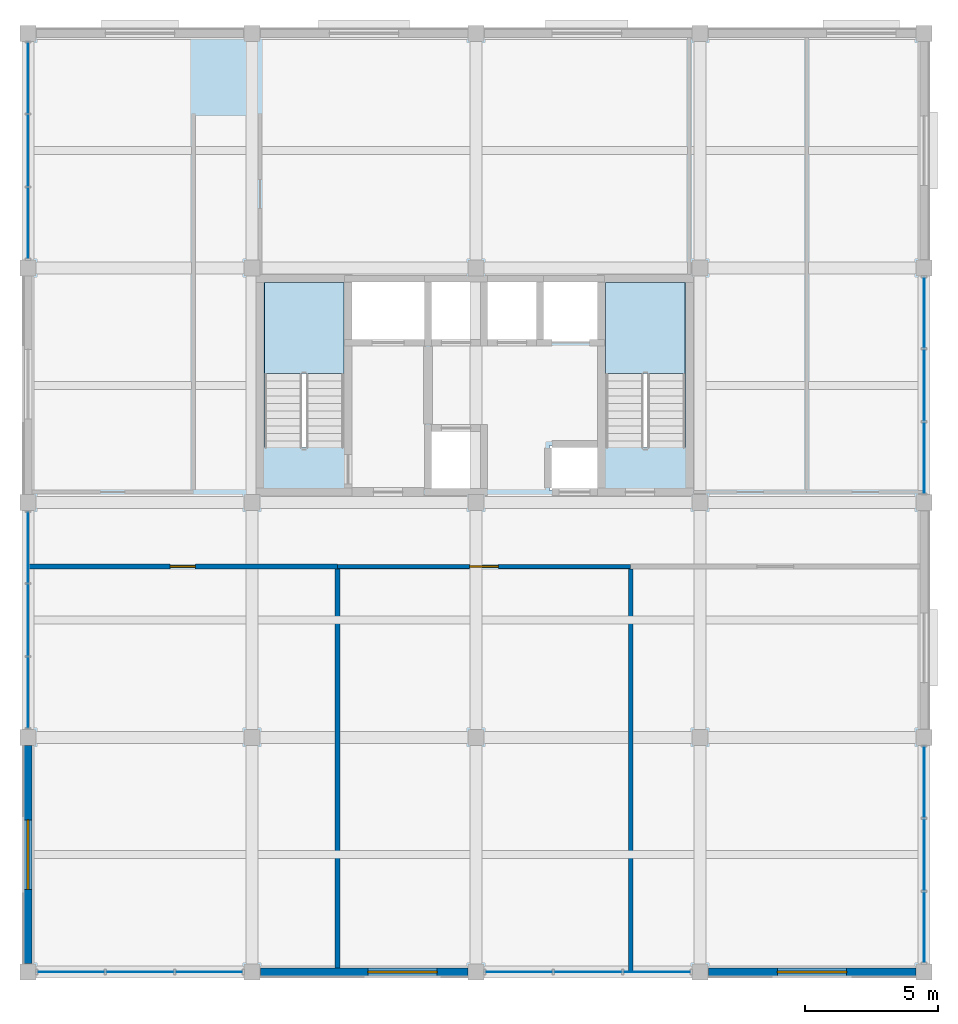
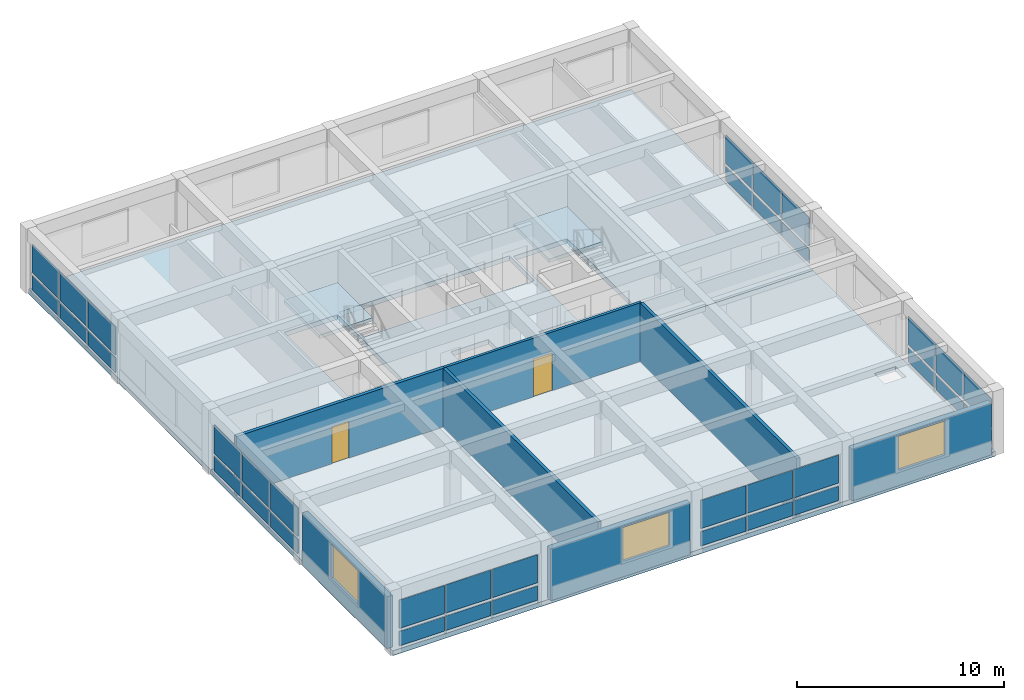
# One storey, part 6 of 12: 36 plates, 7 walls, 4 slabs, 3 windows, 2 doors, 5 openings, 8 elements without a shape of their own.
"""IFC4 building model written with IfcOpenShell, lengths in metres."""

from ifc_helpers import new_model, si_unit, direction, frame, frame_2d, origin, origin_2d, place, context, subcontext, project, spatial, polyline, rectangle, outline, extrude, material, layer, layer_set, type_object, element, fill, aggregate, save


model = new_model("IFC4")

# Units and contexts
model_context = context("Model", 3, precision=1e-05, world=origin(), true_north=direction((0.0, 1.0)))
body_context = subcontext(model_context, "Body", "Model", "MODEL_VIEW")
ifc_project = project(units=[si_unit("LENGTHUNIT", "METRE"), si_unit("AREAUNIT", "SQUARE_METRE"), si_unit("VOLUMEUNIT", "CUBIC_METRE"), si_unit("PLANEANGLEUNIT", "RADIAN"), si_unit("MASSUNIT", "GRAM", prefix="KILO")], contexts=[model_context])

# Site, building, storey
site_placement = place(None, origin())
site = spatial("IfcSite", under=ifc_project, at=site_placement, CompositionType="ELEMENT")
building_placement = place(site_placement, origin())
building = spatial("IfcBuilding", under=site, at=building_placement, Name="Kemercrest Conservatory and Botanical Centre", CompositionType="ELEMENT")
storey_placement = place(building_placement, frame((0.0, 0.0, 56.0)))
storey = spatial("IfcBuildingStorey", under=building, at=storey_placement, Name="L14", CompositionType="ELEMENT", Elevation=56.0)

# Curtain wall, plates
ifc_material_1 = material(Name="Thermally broken aluminium and triple low-e glazing", Category="aluminium")
curtain_wall_type_1 = type_object("IfcCurtainWallType", Name="CW-20", PredefinedType="USERDEFINED", material=ifc_material_1)
curtain_wall_1_placement = place(storey_placement, origin())
curtain_wall_1 = element("IfcCurtainWall", 1, at=curtain_wall_1_placement, inside=storey, type_object=curtain_wall_type_1, Name="Unitised curtain wall CW-20 (CW:L14:V4-139)", ObjectType="UNITISED CURTAIN WALL", PredefinedType="USERDEFINED")
ifc_material_2 = material(Name="Triple low-e argon insulated glazing unit", Category="glass")
ifc_layer_1 = layer(ifc_material_2, 0.035888671875)
ifc_layer_set_1 = layer_set([ifc_layer_1], Name="Triple low-e argon insulated glazing unit")
plate_type = type_object("IfcPlateType", Name="CW-PNL036", PredefinedType="CURTAIN_PANEL", material=ifc_layer_set_1)
plate_1_placement = place(storey_placement, frame((144.012939453125, 87.199951171875, 0.179931640625), z_axis=(0.0, 0.0, 1.0), x_axis=(1.0, 0.0, 0.0)))
plate_1 = element("IfcPlate", 2, at=plate_1_placement, type_object=plate_type, Name="CW-20 panel 1.1", PredefinedType="CURTAIN_PANEL", context=body_context, shape_type="SweptSolid", body=[
    extrude(rectangle(XDim=2.505859375, YDim=0.035888671875, at=origin_2d()), origin(), (0.0, 0.0, 1.0), 0.85009765625),
])
plate_2_placement = place(storey_placement, frame((144.012939453125, 87.199951171875, 1.2099609375), z_axis=(0.0, 0.0, 1.0), x_axis=(1.0, 0.0, 0.0)))
plate_2 = element("IfcPlate", 3, at=plate_2_placement, type_object=plate_type, Name="CW-20 panel 1.2", PredefinedType="CURTAIN_PANEL", context=body_context, shape_type="SweptSolid", body=[
    extrude(rectangle(XDim=2.505859375, YDim=0.035888671875, at=origin_2d()), origin(), (0.0, 0.0, 1.0), 1.6650390625),
])
plate_3_placement = place(storey_placement, frame((146.60009765625, 87.199951171875, 0.179931640625), z_axis=(0.0, 0.0, 1.0), x_axis=(1.0, 0.0, 0.0)))
plate_3 = element("IfcPlate", 4, at=plate_3_placement, type_object=plate_type, Name="CW-20 panel 2.1", PredefinedType="CURTAIN_PANEL", context=body_context, shape_type="SweptSolid", body=[
    extrude(rectangle(XDim=2.538330078125, YDim=0.035888671875, at=origin_2d()), origin(), (0.0, 0.0, 1.0), 0.85009765625),
])
plate_4_placement = place(storey_placement, frame((146.60009765625, 87.199951171875, 1.2099609375), z_axis=(0.0, 0.0, 1.0), x_axis=(1.0, 0.0, 0.0)))
plate_4 = element("IfcPlate", 5, at=plate_4_placement, type_object=plate_type, Name="CW-20 panel 2.2", PredefinedType="CURTAIN_PANEL", context=body_context, shape_type="SweptSolid", body=[
    extrude(rectangle(XDim=2.538330078125, YDim=0.035888671875, at=origin_2d()), origin(), (0.0, 0.0, 1.0), 1.6650390625),
])
plate_5_placement = place(storey_placement, frame((149.18701171875, 87.199951171875, 0.179931640625), z_axis=(0.0, 0.0, 1.0), x_axis=(1.0, 0.0, 0.0)))
plate_5 = element("IfcPlate", 6, at=plate_5_placement, type_object=plate_type, Name="CW-20 panel 3.1", PredefinedType="CURTAIN_PANEL", context=body_context, shape_type="SweptSolid", body=[
    extrude(rectangle(XDim=2.505859375, YDim=0.035888671875, at=origin_2d()), origin(), (0.0, 0.0, 1.0), 0.85009765625),
])
plate_6_placement = place(storey_placement, frame((149.18701171875, 87.199951171875, 1.2099609375), z_axis=(0.0, 0.0, 1.0), x_axis=(1.0, 0.0, 0.0)))
plate_6 = element("IfcPlate", 7, at=plate_6_placement, type_object=plate_type, Name="CW-20 panel 3.2", PredefinedType="CURTAIN_PANEL", context=body_context, shape_type="SweptSolid", body=[
    extrude(rectangle(XDim=2.505859375, YDim=0.035888671875, at=origin_2d()), origin(), (0.0, 0.0, 1.0), 1.6650390625),
])
aggregate(curtain_wall_1, [plate_1, plate_2, plate_3, plate_4, plate_5, plate_6])

curtain_wall_type_2 = type_object("IfcCurtainWallType", Name="CW-21", PredefinedType="USERDEFINED", material=ifc_material_1)
curtain_wall_2_placement = place(storey_placement, origin())
curtain_wall_2 = element("IfcCurtainWall", 8, at=curtain_wall_2_placement, inside=storey, type_object=curtain_wall_type_2, Name="Unitised curtain wall CW-21 (CW:L14:V4-140)", ObjectType="UNITISED CURTAIN WALL", PredefinedType="USERDEFINED")
plate_7_placement = place(storey_placement, frame((160.81298828125, 87.199951171875, 0.179931640625), z_axis=(0.0, 0.0, 1.0), x_axis=(1.0, 0.0, 0.0)))
plate_7 = element("IfcPlate", 9, at=plate_7_placement, type_object=plate_type, Name="CW-21 panel 1.1", PredefinedType="CURTAIN_PANEL", context=body_context, shape_type="SweptSolid", body=[
    extrude(rectangle(XDim=2.505859375, YDim=0.035888671875, at=origin_2d()), origin(), (0.0, 0.0, 1.0), 0.85009765625),
])
plate_8_placement = place(storey_placement, frame((160.81298828125, 87.199951171875, 1.2099609375), z_axis=(0.0, 0.0, 1.0), x_axis=(1.0, 0.0, 0.0)))
plate_8 = element("IfcPlate", 10, at=plate_8_placement, type_object=plate_type, Name="CW-21 panel 1.2", PredefinedType="CURTAIN_PANEL", context=body_context, shape_type="SweptSolid", body=[
    extrude(rectangle(XDim=2.505859375, YDim=0.035888671875, at=origin_2d()), origin(), (0.0, 0.0, 1.0), 1.6650390625),
])
plate_9_placement = place(storey_placement, frame((163.39990234375, 87.199951171875, 0.179931640625), z_axis=(0.0, 0.0, 1.0), x_axis=(1.0, 0.0, 0.0)))
plate_9 = element("IfcPlate", 11, at=plate_9_placement, type_object=plate_type, Name="CW-21 panel 2.1", PredefinedType="CURTAIN_PANEL", context=body_context, shape_type="SweptSolid", body=[
    extrude(rectangle(XDim=2.538330078125, YDim=0.035888671875, at=origin_2d()), origin(), (0.0, 0.0, 1.0), 0.85009765625),
])
plate_10_placement = place(storey_placement, frame((163.39990234375, 87.199951171875, 1.2099609375), z_axis=(0.0, 0.0, 1.0), x_axis=(1.0, 0.0, 0.0)))
plate_10 = element("IfcPlate", 12, at=plate_10_placement, type_object=plate_type, Name="CW-21 panel 2.2", PredefinedType="CURTAIN_PANEL", context=body_context, shape_type="SweptSolid", body=[
    extrude(rectangle(XDim=2.538330078125, YDim=0.035888671875, at=origin_2d()), origin(), (0.0, 0.0, 1.0), 1.6650390625),
])
plate_11_placement = place(storey_placement, frame((165.987060546875, 87.199951171875, 0.179931640625), z_axis=(0.0, 0.0, 1.0), x_axis=(1.0, 0.0, 0.0)))
plate_11 = element("IfcPlate", 13, at=plate_11_placement, type_object=plate_type, Name="CW-21 panel 3.1", PredefinedType="CURTAIN_PANEL", context=body_context, shape_type="SweptSolid", body=[
    extrude(rectangle(XDim=2.505859375, YDim=0.035888671875, at=origin_2d()), origin(), (0.0, 0.0, 1.0), 0.85009765625),
])
plate_12_placement = place(storey_placement, frame((165.987060546875, 87.199951171875, 1.2099609375), z_axis=(0.0, 0.0, 1.0), x_axis=(1.0, 0.0, 0.0)))
plate_12 = element("IfcPlate", 14, at=plate_12_placement, type_object=plate_type, Name="CW-21 panel 3.2", PredefinedType="CURTAIN_PANEL", context=body_context, shape_type="SweptSolid", body=[
    extrude(rectangle(XDim=2.505859375, YDim=0.035888671875, at=origin_2d()), origin(), (0.0, 0.0, 1.0), 1.6650390625),
])
aggregate(curtain_wall_2, [plate_7, plate_8, plate_9, plate_10, plate_11, plate_12])

curtain_wall_type_3 = type_object("IfcCurtainWallType", Name="CW-22", PredefinedType="USERDEFINED", material=ifc_material_1)
curtain_wall_3_placement = place(storey_placement, origin())
curtain_wall_3 = element("IfcCurtainWall", 15, at=curtain_wall_3_placement, inside=storey, type_object=curtain_wall_type_3, Name="Unitised curtain wall CW-22 (CW:L14:V4-141)", ObjectType="UNITISED CURTAIN WALL", PredefinedType="USERDEFINED")
plate_13_placement = place(storey_placement, frame((176.0, 88.879638671875, 0.179931640625), z_axis=(0.0, 0.0, 1.0), x_axis=(0.0, 1.0, 0.0)))
plate_13 = element("IfcPlate", 16, at=plate_13_placement, type_object=plate_type, Name="CW-22 panel 1.1", PredefinedType="CURTAIN_PANEL", context=body_context, shape_type="SweptSolid", body=[
    extrude(rectangle(XDim=2.63916015625, YDim=0.035888671875, at=origin_2d()), origin(), (0.0, 0.0, 1.0), 0.85009765625),
])
plate_14_placement = place(storey_placement, frame((176.0, 88.879638671875, 1.2099609375), z_axis=(0.0, 0.0, 1.0), x_axis=(0.0, 1.0, 0.0)))
plate_14 = element("IfcPlate", 17, at=plate_14_placement, type_object=plate_type, Name="CW-22 panel 1.2", PredefinedType="CURTAIN_PANEL", context=body_context, shape_type="SweptSolid", body=[
    extrude(rectangle(XDim=2.63916015625, YDim=0.035888671875, at=origin_2d()), origin(), (0.0, 0.0, 1.0), 1.6650390625),
])
plate_15_placement = place(storey_placement, frame((176.0, 91.60009765625, 0.179931640625), z_axis=(0.0, 0.0, 1.0), x_axis=(0.0, 1.0, 0.0)))
plate_15 = element("IfcPlate", 18, at=plate_15_placement, type_object=plate_type, Name="CW-22 panel 2.1", PredefinedType="CURTAIN_PANEL", context=body_context, shape_type="SweptSolid", body=[
    extrude(rectangle(XDim=2.671630859375, YDim=0.035888671875, at=origin_2d()), origin(), (0.0, 0.0, 1.0), 0.85009765625),
])
plate_16_placement = place(storey_placement, frame((176.0, 91.60009765625, 1.2099609375), z_axis=(0.0, 0.0, 1.0), x_axis=(0.0, 1.0, 0.0)))
plate_16 = element("IfcPlate", 19, at=plate_16_placement, type_object=plate_type, Name="CW-22 panel 2.2", PredefinedType="CURTAIN_PANEL", context=body_context, shape_type="SweptSolid", body=[
    extrude(rectangle(XDim=2.671630859375, YDim=0.035888671875, at=origin_2d()), origin(), (0.0, 0.0, 1.0), 1.6650390625),
])
plate_17_placement = place(storey_placement, frame((176.0, 94.3203125, 0.179931640625), z_axis=(0.0, 0.0, 1.0), x_axis=(0.0, 1.0, 0.0)))
plate_17 = element("IfcPlate", 20, at=plate_17_placement, type_object=plate_type, Name="CW-22 panel 3.1", PredefinedType="CURTAIN_PANEL", context=body_context, shape_type="SweptSolid", body=[
    extrude(rectangle(XDim=2.63916015625, YDim=0.035888671875, at=origin_2d()), origin(), (0.0, 0.0, 1.0), 0.85009765625),
])
plate_18_placement = place(storey_placement, frame((176.0, 94.3203125, 1.2099609375), z_axis=(0.0, 0.0, 1.0), x_axis=(0.0, 1.0, 0.0)))
plate_18 = element("IfcPlate", 21, at=plate_18_placement, type_object=plate_type, Name="CW-22 panel 3.2", PredefinedType="CURTAIN_PANEL", context=body_context, shape_type="SweptSolid", body=[
    extrude(rectangle(XDim=2.63916015625, YDim=0.035888671875, at=origin_2d()), origin(), (0.0, 0.0, 1.0), 1.6650390625),
])
aggregate(curtain_wall_3, [plate_13, plate_14, plate_15, plate_16, plate_17, plate_18])

curtain_wall_type_4 = type_object("IfcCurtainWallType", Name="CW-23", PredefinedType="USERDEFINED", material=ifc_material_1)
curtain_wall_4_placement = place(storey_placement, origin())
curtain_wall_4 = element("IfcCurtainWall", 22, at=curtain_wall_4_placement, inside=storey, type_object=curtain_wall_type_4, Name="Unitised curtain wall CW-23 (CW:L14:V4-142)", ObjectType="UNITISED CURTAIN WALL", PredefinedType="USERDEFINED")
plate_19_placement = place(storey_placement, frame((176.0, 106.4794921875, 0.179931640625), z_axis=(0.0, 0.0, 1.0), x_axis=(0.0, 1.0, 0.0)))
plate_19 = element("IfcPlate", 23, at=plate_19_placement, type_object=plate_type, Name="CW-23 panel 1.1", PredefinedType="CURTAIN_PANEL", context=body_context, shape_type="SweptSolid", body=[
    extrude(rectangle(XDim=2.63916015625, YDim=0.035888671875, at=origin_2d()), origin(), (0.0, 0.0, 1.0), 0.85009765625),
])
plate_20_placement = place(storey_placement, frame((176.0, 106.4794921875, 1.2099609375), z_axis=(0.0, 0.0, 1.0), x_axis=(0.0, 1.0, 0.0)))
plate_20 = element("IfcPlate", 24, at=plate_20_placement, type_object=plate_type, Name="CW-23 panel 1.2", PredefinedType="CURTAIN_PANEL", context=body_context, shape_type="SweptSolid", body=[
    extrude(rectangle(XDim=2.63916015625, YDim=0.035888671875, at=origin_2d()), origin(), (0.0, 0.0, 1.0), 1.6650390625),
])
plate_21_placement = place(storey_placement, frame((176.0, 109.199951171875, 0.179931640625), z_axis=(0.0, 0.0, 1.0), x_axis=(0.0, 1.0, 0.0)))
plate_21 = element("IfcPlate", 25, at=plate_21_placement, type_object=plate_type, Name="CW-23 panel 2.1", PredefinedType="CURTAIN_PANEL", context=body_context, shape_type="SweptSolid", body=[
    extrude(rectangle(XDim=2.671630859375, YDim=0.035888671875, at=origin_2d()), origin(), (0.0, 0.0, 1.0), 0.85009765625),
])
plate_22_placement = place(storey_placement, frame((176.0, 109.199951171875, 1.2099609375), z_axis=(0.0, 0.0, 1.0), x_axis=(0.0, 1.0, 0.0)))
plate_22 = element("IfcPlate", 26, at=plate_22_placement, type_object=plate_type, Name="CW-23 panel 2.2", PredefinedType="CURTAIN_PANEL", context=body_context, shape_type="SweptSolid", body=[
    extrude(rectangle(XDim=2.671630859375, YDim=0.035888671875, at=origin_2d()), origin(), (0.0, 0.0, 1.0), 1.6650390625),
])
plate_23_placement = place(storey_placement, frame((176.0, 111.92041015625, 0.179931640625), z_axis=(0.0, 0.0, 1.0), x_axis=(0.0, 1.0, 0.0)))
plate_23 = element("IfcPlate", 27, at=plate_23_placement, type_object=plate_type, Name="CW-23 panel 3.1", PredefinedType="CURTAIN_PANEL", context=body_context, shape_type="SweptSolid", body=[
    extrude(rectangle(XDim=2.63916015625, YDim=0.035888671875, at=origin_2d()), origin(), (0.0, 0.0, 1.0), 0.85009765625),
])
plate_24_placement = place(storey_placement, frame((176.0, 111.92041015625, 1.2099609375), z_axis=(0.0, 0.0, 1.0), x_axis=(0.0, 1.0, 0.0)))
plate_24 = element("IfcPlate", 28, at=plate_24_placement, type_object=plate_type, Name="CW-23 panel 3.2", PredefinedType="CURTAIN_PANEL", context=body_context, shape_type="SweptSolid", body=[
    extrude(rectangle(XDim=2.63916015625, YDim=0.035888671875, at=origin_2d()), origin(), (0.0, 0.0, 1.0), 1.6650390625),
])
aggregate(curtain_wall_4, [plate_19, plate_20, plate_21, plate_22, plate_23, plate_24])

curtain_wall_type_5 = type_object("IfcCurtainWallType", Name="CW-24", PredefinedType="USERDEFINED", material=ifc_material_1)
curtain_wall_5_placement = place(storey_placement, origin())
curtain_wall_5 = element("IfcCurtainWall", 29, at=curtain_wall_5_placement, inside=storey, type_object=curtain_wall_type_5, Name="Unitised curtain wall CW-24 (CW:L14:V4-143)", ObjectType="UNITISED CURTAIN WALL", PredefinedType="USERDEFINED")
plate_25_placement = place(storey_placement, frame((142.39990234375, 120.720458984375, 0.179931640625), z_axis=(0.0, 0.0, 1.0), x_axis=(0.0, -1.0, 0.0)))
plate_25 = element("IfcPlate", 30, at=plate_25_placement, type_object=plate_type, Name="CW-24 panel 1.1", PredefinedType="CURTAIN_PANEL", context=body_context, shape_type="SweptSolid", body=[
    extrude(rectangle(XDim=2.63916015625, YDim=0.035888671875, at=origin_2d()), origin(), (0.0, 0.0, 1.0), 0.85009765625),
])
plate_26_placement = place(storey_placement, frame((142.39990234375, 120.720458984375, 1.2099609375), z_axis=(0.0, 0.0, 1.0), x_axis=(0.0, -1.0, 0.0)))
plate_26 = element("IfcPlate", 31, at=plate_26_placement, type_object=plate_type, Name="CW-24 panel 1.2", PredefinedType="CURTAIN_PANEL", context=body_context, shape_type="SweptSolid", body=[
    extrude(rectangle(XDim=2.63916015625, YDim=0.035888671875, at=origin_2d()), origin(), (0.0, 0.0, 1.0), 1.6650390625),
])
plate_27_placement = place(storey_placement, frame((142.39990234375, 118.0, 0.179931640625), z_axis=(0.0, 0.0, 1.0), x_axis=(0.0, -1.0, 0.0)))
plate_27 = element("IfcPlate", 32, at=plate_27_placement, type_object=plate_type, Name="CW-24 panel 2.1", PredefinedType="CURTAIN_PANEL", context=body_context, shape_type="SweptSolid", body=[
    extrude(rectangle(XDim=2.671630859375, YDim=0.035888671875, at=origin_2d()), origin(), (0.0, 0.0, 1.0), 0.85009765625),
])
plate_28_placement = place(storey_placement, frame((142.39990234375, 118.0, 1.2099609375), z_axis=(0.0, 0.0, 1.0), x_axis=(0.0, -1.0, 0.0)))
plate_28 = element("IfcPlate", 33, at=plate_28_placement, type_object=plate_type, Name="CW-24 panel 2.2", PredefinedType="CURTAIN_PANEL", context=body_context, shape_type="SweptSolid", body=[
    extrude(rectangle(XDim=2.671630859375, YDim=0.035888671875, at=origin_2d()), origin(), (0.0, 0.0, 1.0), 1.6650390625),
])
plate_29_placement = place(storey_placement, frame((142.39990234375, 115.279541015625, 0.179931640625), z_axis=(0.0, 0.0, 1.0), x_axis=(0.0, -1.0, 0.0)))
plate_29 = element("IfcPlate", 34, at=plate_29_placement, type_object=plate_type, Name="CW-24 panel 3.1", PredefinedType="CURTAIN_PANEL", context=body_context, shape_type="SweptSolid", body=[
    extrude(rectangle(XDim=2.63916015625, YDim=0.035888671875, at=origin_2d()), origin(), (0.0, 0.0, 1.0), 0.85009765625),
])
plate_30_placement = place(storey_placement, frame((142.39990234375, 115.279541015625, 1.2099609375), z_axis=(0.0, 0.0, 1.0), x_axis=(0.0, -1.0, 0.0)))
plate_30 = element("IfcPlate", 35, at=plate_30_placement, type_object=plate_type, Name="CW-24 panel 3.2", PredefinedType="CURTAIN_PANEL", context=body_context, shape_type="SweptSolid", body=[
    extrude(rectangle(XDim=2.63916015625, YDim=0.035888671875, at=origin_2d()), origin(), (0.0, 0.0, 1.0), 1.6650390625),
])
aggregate(curtain_wall_5, [plate_25, plate_26, plate_27, plate_28, plate_29, plate_30])

curtain_wall_type_6 = type_object("IfcCurtainWallType", Name="CW-25", PredefinedType="USERDEFINED", material=ifc_material_1)
curtain_wall_6_placement = place(storey_placement, origin())
curtain_wall_6 = element("IfcCurtainWall", 36, at=curtain_wall_6_placement, inside=storey, type_object=curtain_wall_type_6, Name="Unitised curtain wall CW-25 (CW:L14:V4-144)", ObjectType="UNITISED CURTAIN WALL", PredefinedType="USERDEFINED")
plate_31_placement = place(storey_placement, frame((142.39990234375, 103.120361328125, 0.179931640625), z_axis=(0.0, 0.0, 1.0), x_axis=(0.0, -1.0, 0.0)))
plate_31 = element("IfcPlate", 37, at=plate_31_placement, type_object=plate_type, Name="CW-25 panel 1.1", PredefinedType="CURTAIN_PANEL", context=body_context, shape_type="SweptSolid", body=[
    extrude(rectangle(XDim=2.63916015625, YDim=0.035888671875, at=origin_2d()), origin(), (0.0, 0.0, 1.0), 0.85009765625),
])
plate_32_placement = place(storey_placement, frame((142.39990234375, 103.120361328125, 1.2099609375), z_axis=(0.0, 0.0, 1.0), x_axis=(0.0, -1.0, 0.0)))
plate_32 = element("IfcPlate", 38, at=plate_32_placement, type_object=plate_type, Name="CW-25 panel 1.2", PredefinedType="CURTAIN_PANEL", context=body_context, shape_type="SweptSolid", body=[
    extrude(rectangle(XDim=2.63916015625, YDim=0.035888671875, at=origin_2d()), origin(), (0.0, 0.0, 1.0), 1.6650390625),
])
plate_33_placement = place(storey_placement, frame((142.39990234375, 100.39990234375, 0.179931640625), z_axis=(0.0, 0.0, 1.0), x_axis=(0.0, -1.0, 0.0)))
plate_33 = element("IfcPlate", 39, at=plate_33_placement, type_object=plate_type, Name="CW-25 panel 2.1", PredefinedType="CURTAIN_PANEL", context=body_context, shape_type="SweptSolid", body=[
    extrude(rectangle(XDim=2.671630859375, YDim=0.035888671875, at=origin_2d()), origin(), (0.0, 0.0, 1.0), 0.85009765625),
])
plate_34_placement = place(storey_placement, frame((142.39990234375, 100.39990234375, 1.2099609375), z_axis=(0.0, 0.0, 1.0), x_axis=(0.0, -1.0, 0.0)))
plate_34 = element("IfcPlate", 40, at=plate_34_placement, type_object=plate_type, Name="CW-25 panel 2.2", PredefinedType="CURTAIN_PANEL", context=body_context, shape_type="SweptSolid", body=[
    extrude(rectangle(XDim=2.671630859375, YDim=0.035888671875, at=origin_2d()), origin(), (0.0, 0.0, 1.0), 1.6650390625),
])
plate_35_placement = place(storey_placement, frame((142.39990234375, 97.6796875, 0.179931640625), z_axis=(0.0, 0.0, 1.0), x_axis=(0.0, -1.0, 0.0)))
plate_35 = element("IfcPlate", 41, at=plate_35_placement, type_object=plate_type, Name="CW-25 panel 3.1", PredefinedType="CURTAIN_PANEL", context=body_context, shape_type="SweptSolid", body=[
    extrude(rectangle(XDim=2.63916015625, YDim=0.035888671875, at=origin_2d()), origin(), (0.0, 0.0, 1.0), 0.85009765625),
])
plate_36_placement = place(storey_placement, frame((142.39990234375, 97.6796875, 1.2099609375), z_axis=(0.0, 0.0, 1.0), x_axis=(0.0, -1.0, 0.0)))
plate_36 = element("IfcPlate", 42, at=plate_36_placement, type_object=plate_type, Name="CW-25 panel 3.2", PredefinedType="CURTAIN_PANEL", context=body_context, shape_type="SweptSolid", body=[
    extrude(rectangle(XDim=2.63916015625, YDim=0.035888671875, at=origin_2d()), origin(), (0.0, 0.0, 1.0), 1.6650390625),
])
aggregate(curtain_wall_6, [plate_31, plate_32, plate_33, plate_34, plate_35, plate_36])

# Slabs
ifc_material_3 = material(Name="Concrete C40/50", Category="concrete")
ifc_layer_2 = layer(ifc_material_3, 0.280029296875)
ifc_layer_set_2 = layer_set([ifc_layer_2], Name="Concrete C40/50")
slab_type_1 = type_object("IfcSlabType", Name="SL-FL280", PredefinedType="FLOOR", material=ifc_layer_set_2)
slab_1_placement = place(storey_placement, frame((0.0, 0.0, -0.280029296875)))
element("IfcSlab", 43, at=slab_1_placement, inside=storey, type_object=slab_type_1, Name="V4 Tower L14 North Core and Studio Slab", PredefinedType="FLOOR", context=body_context, shape_type="SweptSolid", body=[
    extrude(outline(polyline([(142.39990234375, 122.39990234375), (142.39990234375, 104.800048828125), (176.0, 104.800048828125), (176.0, 122.39990234375), (142.39990234375, 122.39990234375)]), holes=[polyline([(164.06005859375, 106.864990234375), (164.06005859375, 113.06005859375), (167.0400390625, 113.06005859375), (167.0400390625, 106.864990234375), (164.06005859375, 106.864990234375)]), polyline([(154.39990234375, 110.800048828125), (154.39990234375, 113.199951171875), (163.89990234375, 113.199951171875), (163.89990234375, 110.800048828125), (154.39990234375, 110.800048828125)]), polyline([(161.949951171875, 105.25), (161.949951171875, 106.949951171875), (163.85009765625, 106.949951171875), (163.85009765625, 105.25), (161.949951171875, 105.25)]), polyline([(157.39990234375, 105.199951171875), (157.39990234375, 107.60009765625), (159.5, 107.60009765625), (159.5, 105.199951171875), (157.39990234375, 105.199951171875)]), polyline([(154.239990234375, 106.864990234375), (151.260009765625, 106.864990234375), (151.260009765625, 113.06005859375), (154.239990234375, 113.06005859375), (154.239990234375, 106.864990234375)])]), origin(), (0.0, 0.0, 1.0), 0.280029296875),
])
slab_2_placement = place(storey_placement, frame((0.0, 0.0, -0.280029296875)))
element("IfcSlab", 44, at=slab_2_placement, inside=storey, type_object=slab_type_1, Name="V4 Tower L14 South Laboratory Slab", PredefinedType="FLOOR", context=body_context, shape_type="SweptSolid", body=[
    extrude(outline(polyline([(142.39990234375, 104.800048828125), (142.39990234375, 87.199951171875), (176.0, 87.199951171875), (176.0, 104.800048828125), (142.39990234375, 104.800048828125)]), holes=[polyline([(175.39990234375, 94.800048828125), (174.199951171875, 94.800048828125), (174.199951171875, 95.800048828125), (175.39990234375, 95.800048828125), (175.39990234375, 94.800048828125)])]), origin(), (0.0, 0.0, 1.0), 0.280029296875),
])

# Stair, slab
stair_type = type_object("IfcStairType", Name="ST-142-38", PredefinedType="HALF_TURN_STAIR", material=ifc_material_3)
stair_1_placement = place(storey_placement, origin())
stair_1 = element("IfcStair", 45, at=stair_1_placement, inside=storey, type_object=stair_type, Name="L14 Exit stair ST-V4A", PredefinedType="HALF_TURN_STAIR")
ifc_layer_3 = layer(ifc_material_3, 0.199951171875)
ifc_layer_set_3 = layer_set([ifc_layer_3], Name="Concrete C40/50")
slab_type_2 = type_object("IfcSlabType", Name="SL-LND200", PredefinedType="LANDING", material=ifc_layer_set_3)
slab_3_placement = place(storey_placement, frame((0.0, 0.0, 1.699951171875)))
slab_3 = element("IfcSlab", 46, at=slab_3_placement, type_object=slab_type_2, Name="ST-V4A landing 1", PredefinedType="LANDING", context=body_context, shape_type="SweptSolid", body=[
    extrude(outline(polyline([(154.239990234375, 109.639892578125), (154.239990234375, 113.06005859375), (151.260009765625, 113.06005859375), (151.260009765625, 109.639892578125), (154.239990234375, 109.639892578125)])), origin(), (0.0, 0.0, 1.0), 0.199951171875),
])
aggregate(stair_1, [slab_3])

stair_2_placement = place(storey_placement, origin())
stair_2 = element("IfcStair", 47, at=stair_2_placement, inside=storey, type_object=stair_type, Name="L14 Exit stair ST-V4B", PredefinedType="HALF_TURN_STAIR")
slab_4_placement = place(storey_placement, frame((0.0, 0.0, 1.699951171875)))
slab_4 = element("IfcSlab", 48, at=slab_4_placement, type_object=slab_type_2, Name="ST-V4B landing 1", PredefinedType="LANDING", context=body_context, shape_type="SweptSolid", body=[
    extrude(outline(polyline([(167.0400390625, 109.639892578125), (167.0400390625, 113.06005859375), (164.06005859375, 113.06005859375), (164.06005859375, 109.639892578125), (167.0400390625, 109.639892578125)])), origin(), (0.0, 0.0, 1.0), 0.199951171875),
])
aggregate(stair_2, [slab_4])

# Wall, opening, window
ifc_material_4 = material(Name="Precast concrete C40/50", Category="concrete")
ifc_layer_4 = layer(ifc_material_4, 0.300048828125)
ifc_layer_set_4 = layer_set([ifc_layer_4], Name="Precast concrete C40/50")
wall_type_1 = type_object("IfcWallType", Name="W-EXT300", PredefinedType="SOLIDWALL", material=ifc_layer_set_4)
wall_1_placement = place(storey_placement, frame((151.110107421875, 87.199951171875, 0.0), z_axis=(0.0, 0.0, 1.0), x_axis=(1.0, 0.0, 0.0)))
wall_1 = element("IfcWall", 49, at=wall_1_placement, inside=storey, type_object=wall_type_1, Name="Exterior almasik wall W-EXT300 (WAL:L14:EXT-333)", PredefinedType="SOLIDWALL", context=body_context, shape_type="SweptSolid", body=[
    extrude(rectangle(XDim=7.77978515625, YDim=0.300048828125, at=frame_2d((3.889892578125, 0.0))), origin(), (0.0, 0.0, 1.0), 3.050048828125),
])
opening_1_placement = place(wall_1_placement, frame((4.034912109375, 0.0, 0.89990234375)))
opening_1 = element("IfcOpeningElement", 50, at=opening_1_placement, cuts=wall_1, Name="Opening WT-10", PredefinedType="OPENING", context=body_context, shape_type="SweptSolid", body=[
    extrude(rectangle(XDim=2.60009765625, YDim=2.0, at=frame_2d((1.300048828125, 1.0))), frame((0.0, 0.16015625, 0.0), z_axis=(0.0, -1.0, 0.0), x_axis=(1.0, 0.0, 0.0)), (0.0, 0.0, 1.0), 0.320068359375),
])
ifc_material_5 = material(Name="Thermally broken bronze-anodized aluminium and triple glazing", Category="aluminium")
window_type = type_object("IfcWindowType", Name="WT-10", PartitioningType="SINGLE_PANEL", PredefinedType="WINDOW", material=ifc_material_5)
window_1_placement = place(opening_1_placement, origin())
window_1 = element("IfcWindow", 51, at=window_1_placement, inside=storey, type_object=window_type, Name="Exterior window WT-10 (WIN:L14:EXT-333)", OverallHeight=2.0, OverallWidth=2.60009765625, PartitioningType="SINGLE_PANEL", PredefinedType="WINDOW", context=body_context, shape_type="SweptSolid", body=[
    extrude(rectangle(XDim=2.60009765625, YDim=2.0, at=frame_2d((1.300048828125, 1.0))), frame((0.0, 0.030029296875, 0.0), z_axis=(0.0, -1.0, 0.0), x_axis=(1.0, 0.0, 0.0)), (0.0, 0.0, 1.0), 0.06005859375),
])
fill(opening_1, window_1)

wall_2_placement = place(storey_placement, frame((167.909912109375, 87.199951171875, 0.0), z_axis=(0.0, 0.0, 1.0), x_axis=(1.0, 0.0, 0.0)))
wall_2 = element("IfcWall", 52, at=wall_2_placement, inside=storey, type_object=wall_type_1, Name="Exterior almasik wall W-EXT300 (WAL:L14:EXT-334)", PredefinedType="SOLIDWALL", context=body_context, shape_type="SweptSolid", body=[
    extrude(rectangle(XDim=7.780029296875, YDim=0.300048828125, at=frame_2d((3.89013671875, 0.0))), origin(), (0.0, 0.0, 1.0), 3.050048828125),
])
opening_2_placement = place(wall_2_placement, frame((2.590087890625, 0.0, 0.89990234375)))
opening_2 = element("IfcOpeningElement", 53, at=opening_2_placement, cuts=wall_2, Name="Opening WT-10", PredefinedType="OPENING", context=body_context, shape_type="SweptSolid", body=[
    extrude(rectangle(XDim=2.60009765625, YDim=2.0, at=frame_2d((1.300048828125, 1.0))), frame((0.0, 0.16015625, 0.0), z_axis=(0.0, -1.0, 0.0), x_axis=(1.0, 0.0, 0.0)), (0.0, 0.0, 1.0), 0.320068359375),
])
window_2_placement = place(opening_2_placement, origin())
window_2 = element("IfcWindow", 54, at=window_2_placement, inside=storey, type_object=window_type, Name="Exterior window WT-10 (WIN:L14:EXT-334)", OverallHeight=2.0, OverallWidth=2.60009765625, PartitioningType="SINGLE_PANEL", PredefinedType="WINDOW", context=body_context, shape_type="SweptSolid", body=[
    extrude(rectangle(XDim=2.60009765625, YDim=2.0, at=frame_2d((1.300048828125, 1.0))), frame((0.0, 0.030029296875, 0.0), z_axis=(0.0, -1.0, 0.0), x_axis=(1.0, 0.0, 0.0)), (0.0, 0.0, 1.0), 0.06005859375),
])
fill(opening_2, window_2)

wall_3_placement = place(storey_placement, frame((142.39990234375, 95.68994140625, 0.0), z_axis=(0.0, 0.0, 1.0), x_axis=(0.0, -1.0, 0.0)))
wall_3 = element("IfcWall", 55, at=wall_3_placement, inside=storey, type_object=wall_type_1, Name="Exterior almasik wall W-EXT300 (WAL:L14:EXT-342)", PredefinedType="SOLIDWALL", context=body_context, shape_type="SweptSolid", body=[
    extrude(rectangle(XDim=8.179931640625, YDim=0.300048828125, at=frame_2d((4.08984375, 0.0))), origin(), (0.0, 0.0, 1.0), 3.050048828125),
])
opening_3_placement = place(wall_3_placement, frame((2.7900390625, 0.0, 0.89990234375)))
opening_3 = element("IfcOpeningElement", 56, at=opening_3_placement, cuts=wall_3, Name="Opening WT-10", PredefinedType="OPENING", context=body_context, shape_type="SweptSolid", body=[
    extrude(rectangle(XDim=2.60009765625, YDim=2.0, at=frame_2d((1.300048828125, 1.0))), frame((0.0, 0.16015625, 0.0), z_axis=(0.0, -1.0, 0.0), x_axis=(1.0, 0.0, 0.0)), (0.0, 0.0, 1.0), 0.320068359375),
])
window_3_placement = place(opening_3_placement, origin())
window_3 = element("IfcWindow", 57, at=window_3_placement, inside=storey, type_object=window_type, Name="Exterior window WT-10 (WIN:L14:EXT-342)", OverallHeight=2.0, OverallWidth=2.60009765625, PartitioningType="SINGLE_PANEL", PredefinedType="WINDOW", context=body_context, shape_type="SweptSolid", body=[
    extrude(rectangle(XDim=2.60009765625, YDim=2.0, at=frame_2d((1.300048828125, 1.0))), frame((0.0, 0.030029296875, 0.0), z_axis=(0.0, -1.0, 0.0), x_axis=(1.0, 0.0, 0.0)), (0.0, 0.0, 1.0), 0.06005859375),
])
fill(opening_3, window_3)

# Wall, opening, door
ifc_material_6 = material(Name="Steel-stud gypsum board partition", Category="steel")
ifc_layer_5 = layer(ifc_material_6, 0.14990234375)
ifc_layer_set_5 = layer_set([ifc_layer_5], Name="Steel-stud gypsum board partition")
wall_type_2 = type_object("IfcWallType", Name="W-PART150", PredefinedType="PARTITIONING", material=ifc_layer_set_5)
wall_4_placement = place(storey_placement, frame((154.0, 102.39990234375, 0.0), z_axis=(0.0, 0.0, 1.0), x_axis=(1.0, 0.0, 0.0)))
wall_4 = element("IfcWall", 58, at=wall_4_placement, inside=storey, type_object=wall_type_2, Name="Interior partition W-PART150 #291", PredefinedType="PARTITIONING", context=body_context, shape_type="SweptSolid", body=[
    extrude(rectangle(XDim=11.0, YDim=0.14990234375, at=frame_2d((5.5, 0.0))), origin(), (0.0, 0.0, 1.0), 3.465087890625),
])
opening_4_placement = place(wall_4_placement, frame((4.9599609375, 0.0, 0.0)))
opening_4 = element("IfcOpeningElement", 59, at=opening_4_placement, cuts=wall_4, Name="Opening D271", PredefinedType="OPENING", context=body_context, shape_type="SweptSolid", body=[
    extrude(rectangle(XDim=1.080078125, YDim=2.219970703125, at=frame_2d((0.5400390625, 1.10986328125))), frame((0.0, 0.0849609375, 0.0), z_axis=(0.0, -1.0, 0.0), x_axis=(1.0, 0.0, 0.0)), (0.0, 0.0, 1.0), 0.169921875),
])
ifc_material_7 = material(Name="FSC solid-core white oak veneer and anodized aluminium frame", Category="aluminium")
door_type_1 = type_object("IfcDoorType", Name="DT-18", OperationType="NOTDEFINED", PredefinedType="DOOR", material=ifc_material_7)
door_1_placement = place(opening_4_placement, origin())
door_1 = element("IfcDoor", 60, at=door_1_placement, inside=storey, type_object=door_type_1, Name="Alpine Ecology Studio door D271", OperationType="SINGLE_SWING_LEFT", OverallHeight=2.219970703125, OverallWidth=1.080078125, PredefinedType="DOOR", context=body_context, shape_type="SweptSolid", body=[
    extrude(rectangle(XDim=1.080078125, YDim=2.219970703125, at=frame_2d((0.5400390625, 1.10986328125))), frame((0.0, 0.02490234375, 0.0), z_axis=(0.0, -1.0, 0.0), x_axis=(1.0, 0.0, 0.0)), (0.0, 0.0, 1.0), 0.050048828125),
])
fill(opening_4, door_1)

ifc_material_8 = material(Name="Acoustic steel-stud gypsum board assembly", Category="steel")
ifc_layer_6 = layer(ifc_material_8, 0.179931640625)
ifc_layer_set_6 = layer_set([ifc_layer_6], Name="Acoustic steel-stud gypsum board assembly")
wall_type_3 = type_object("IfcWallType", Name="W-PART180", PredefinedType="PARTITIONING", material=ifc_layer_set_6)
wall_5_placement = place(storey_placement, frame((142.39990234375, 102.39990234375, 0.0), z_axis=(0.0, 0.0, 1.0), x_axis=(1.0, 0.0, 0.0)))
wall_5 = element("IfcWall", 61, at=wall_5_placement, inside=storey, type_object=wall_type_3, Name="Interior partition W-PART180 #290", PredefinedType="PARTITIONING", context=body_context, shape_type="SweptSolid", body=[
    extrude(rectangle(XDim=11.60009765625, YDim=0.179931640625, at=frame_2d((5.800048828125, 0.0))), origin(), (0.0, 0.0, 1.0), 3.465087890625),
])
opening_5_placement = place(wall_5_placement, frame((5.324951171875, 0.0, 0.0)))
opening_5 = element("IfcOpeningElement", 62, at=opening_5_placement, cuts=wall_5, Name="Opening D270", PredefinedType="OPENING", context=body_context, shape_type="SweptSolid", body=[
    extrude(rectangle(XDim=0.949951171875, YDim=2.179931640625, at=frame_2d((0.47509765625, 1.08984375))), frame((0.0, 0.10009765625, 0.0), z_axis=(0.0, -1.0, 0.0), x_axis=(1.0, 0.0, 0.0)), (0.0, 0.0, 1.0), 0.199951171875),
])
door_type_2 = type_object("IfcDoorType", Name="DT-17", OperationType="NOTDEFINED", PredefinedType="DOOR", material=ifc_material_7)
door_2_placement = place(opening_5_placement, origin())
door_2 = element("IfcDoor", 63, at=door_2_placement, inside=storey, type_object=door_type_2, Name="Ethnobotany Research Laboratory door D270", OperationType="SINGLE_SWING_RIGHT", OverallHeight=2.179931640625, OverallWidth=0.949951171875, PredefinedType="DOOR", context=body_context, shape_type="SweptSolid", body=[
    extrude(rectangle(XDim=0.949951171875, YDim=2.179931640625, at=frame_2d((0.47509765625, 1.08984375))), frame((0.0, 0.02490234375, 0.0), z_axis=(0.0, -1.0, 0.0), x_axis=(1.0, 0.0, 0.0)), (0.0, 0.0, 1.0), 0.050048828125),
])
fill(opening_5, door_2)

# Walls
wall_6_placement = place(storey_placement, frame((154.0, 87.35498046875, 0.0), z_axis=(0.0, 0.0, 1.0), x_axis=(0.0, 1.0, 0.0)))
element("IfcWall", 64, at=wall_6_placement, inside=storey, type_object=wall_type_3, Name="Interior partition W-PART180 #298", PredefinedType="PARTITIONING", context=body_context, shape_type="SweptSolid", body=[
    extrude(rectangle(XDim=14.949951171875, YDim=0.179931640625, at=frame_2d((7.47509765625, 0.0))), origin(), (0.0, 0.0, 1.0), 3.465087890625),
])
wall_7_placement = place(storey_placement, frame((165.0, 87.199951171875, 0.0), z_axis=(0.0, 0.0, 1.0), x_axis=(0.0, 1.0, 0.0)))
element("IfcWall", 65, at=wall_7_placement, inside=storey, type_object=wall_type_3, Name="Interior partition W-PART180 #299", PredefinedType="PARTITIONING", context=body_context, shape_type="SweptSolid", body=[
    extrude(rectangle(XDim=15.10498046875, YDim=0.179931640625, at=frame_2d((7.552490234375, 0.0))), origin(), (0.0, 0.0, 1.0), 3.465087890625),
])

save(model, "model.ifc")
